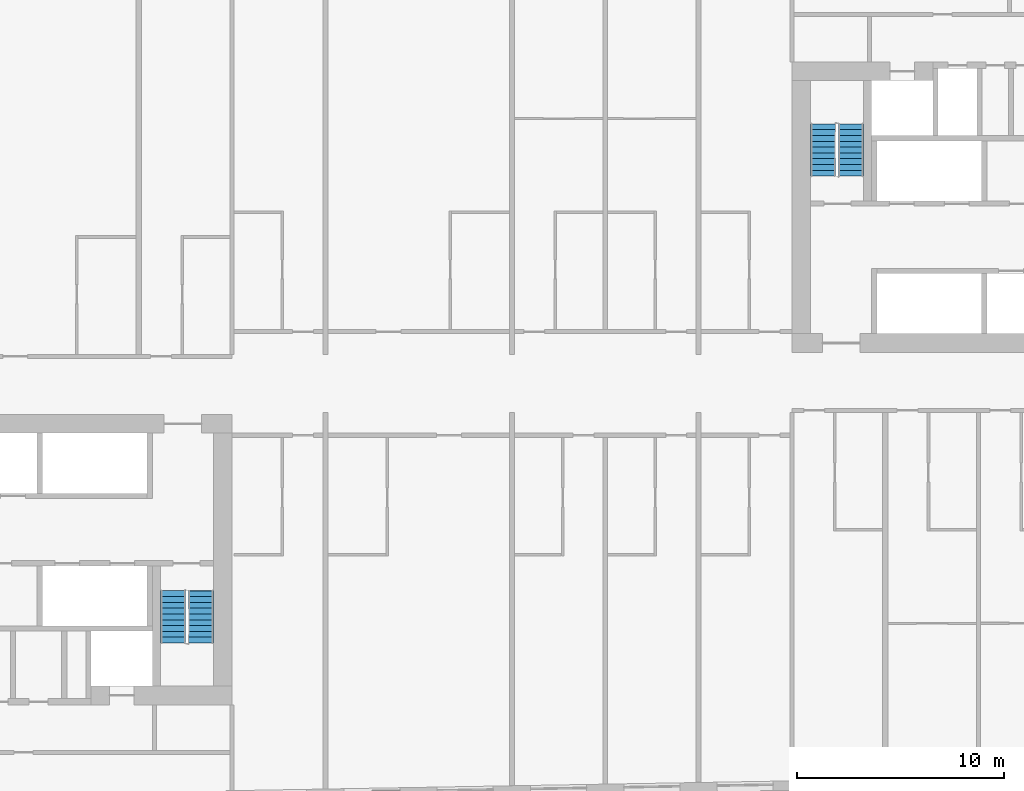
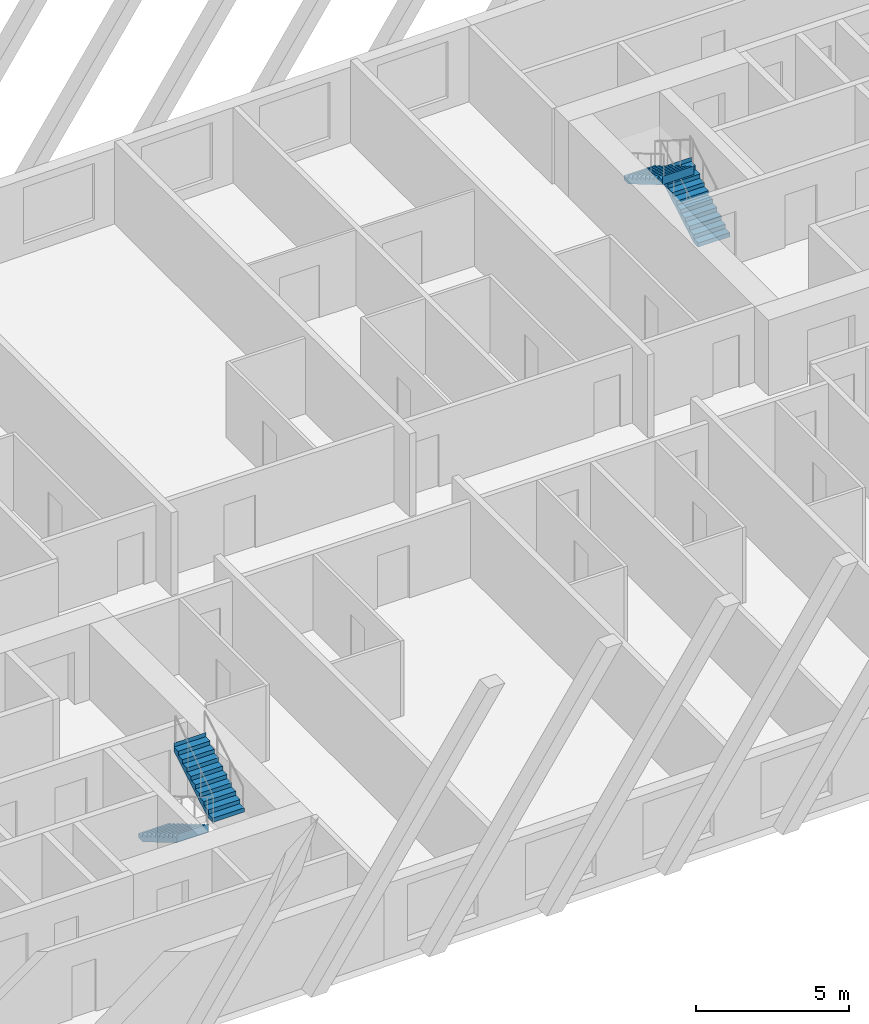
# One storey, part 9 of 12: 4 stair flights, 2 elements without a shape of their own.
"""IFC4 building model written with IfcOpenShell, lengths in metres."""

from ifc_helpers import new_model, si_unit, direction, frame, origin, place, context, subcontext, project, spatial, faceted_brep, material, type_object, element, aggregate, save


model = new_model("IFC4")

# Units and contexts
model_context = context("Model", 3, precision=1e-05, world=origin(), true_north=direction((0.0, 1.0)))
body_context = subcontext(model_context, "Body", "Model", "MODEL_VIEW")
ifc_project = project(units=[si_unit("LENGTHUNIT", "METRE"), si_unit("AREAUNIT", "SQUARE_METRE"), si_unit("VOLUMEUNIT", "CUBIC_METRE"), si_unit("PLANEANGLEUNIT", "RADIAN"), si_unit("MASSUNIT", "GRAM", prefix="KILO")], contexts=[model_context])

# Site, building, storey
site_placement = place(None, origin())
site = spatial("IfcSite", under=ifc_project, at=site_placement, CompositionType="ELEMENT")
building_placement = place(site_placement, origin())
building = spatial("IfcBuilding", under=site, at=building_placement, Name="Kajstack Hotel Tower", CompositionType="ELEMENT")
storey_placement = place(building_placement, frame((0.0, 0.0, 227.60009765625)))
storey = spatial("IfcBuildingStorey", under=building, at=storey_placement, Name="L55", CompositionType="ELEMENT", Elevation=227.60009765625)

# Stair, stair flights
ifc_material = material(Name="Concrete C40/50", Category="concrete")
stair_type = type_object("IfcStairType", Name="Exit stair 1200", PredefinedType="HALF_TURN_STAIR", material=ifc_material)
stair_1_placement = place(storey_placement, origin())
stair_1 = element("IfcStair", 1, at=stair_1_placement, inside=storey, type_object=stair_type, Name="L55 stair W2", PredefinedType="HALF_TURN_STAIR")
stair_flight_type = type_object("IfcStairFlightType", Name="Exit stair flight 1200", PredefinedType="STRAIGHT", material=ifc_material)
stair_flight_1_placement = place(storey_placement, frame((-16.35009765625, -10.0, 0.0), z_axis=(0.0, 0.0, 1.0), x_axis=(0.0, -1.0, 0.0)))
stair_flight_1 = element("IfcStairFlight", 2, at=stair_flight_1_placement, type_object=stair_flight_type, Name="W2 flight 1", NumberOfRisers=10, NumberOfTreads=9, PredefinedType="STRAIGHT", RiserHeight=0.165, TreadLength=0.28, context=body_context, shape_type="Brep", body=[
    faceted_brep([(0.295654296875, -0.60009765625, 0.0), (2.5205078125, -0.60009765625, 1.31103515625), (2.5205078125, -0.60009765625, 1.64990234375), (2.52001953125, -0.60009765625, 1.64990234375), (2.52001953125, -0.60009765625, 1.485107421875), (2.239990234375, -0.60009765625, 1.485107421875), (2.239990234375, -0.60009765625, 1.320068359375), (1.9599609375, -0.60009765625, 1.320068359375), (1.9599609375, -0.60009765625, 1.155029296875), (1.679931640625, -0.60009765625, 1.155029296875), (1.679931640625, -0.60009765625, 0.989990234375), (1.39990234375, -0.60009765625, 0.989990234375), (1.39990234375, -0.60009765625, 0.824951171875), (1.1201171875, -0.60009765625, 0.824951171875), (1.1201171875, -0.60009765625, 0.659912109375), (0.840087890625, -0.60009765625, 0.659912109375), (0.840087890625, -0.60009765625, 0.4951171875), (0.56005859375, -0.60009765625, 0.4951171875), (0.56005859375, -0.60009765625, 0.330078125), (0.280029296875, -0.60009765625, 0.330078125), (0.280029296875, -0.60009765625, 0.1650390625), (-0.00048828125, -0.60009765625, 0.1650390625), (-0.00048828125, -0.60009765625, 0.0), (-0.00048828125, 0.60009765625, 0.0), (-0.00048828125, 0.60009765625, 0.1650390625), (0.280029296875, 0.60009765625, 0.1650390625), (0.280029296875, 0.60009765625, 0.330078125), (0.56005859375, 0.60009765625, 0.330078125), (0.56005859375, 0.60009765625, 0.4951171875), (0.840087890625, 0.60009765625, 0.4951171875), (0.840087890625, 0.60009765625, 0.659912109375), (1.1201171875, 0.60009765625, 0.659912109375), (1.1201171875, 0.60009765625, 0.824951171875), (1.39990234375, 0.60009765625, 0.824951171875), (1.39990234375, 0.60009765625, 0.989990234375), (1.679931640625, 0.60009765625, 0.989990234375), (1.679931640625, 0.60009765625, 1.155029296875), (1.9599609375, 0.60009765625, 1.155029296875), (1.9599609375, 0.60009765625, 1.320068359375), (2.239990234375, 0.60009765625, 1.320068359375), (2.239990234375, 0.60009765625, 1.485107421875), (2.52001953125, 0.60009765625, 1.485107421875), (2.52001953125, 0.60009765625, 1.64990234375), (2.5205078125, 0.60009765625, 1.64990234375), (2.5205078125, 0.60009765625, 1.31103515625), (0.295654296875, 0.60009765625, 0.0), (-0.00048828125, -0.300048828125, 0.1650390625), (-0.00048828125, 0.0, 0.1650390625), (-0.00048828125, 0.300048828125, 0.1650390625), (-0.00048828125, 0.300048828125, 0.0), (-0.00048828125, 0.0, 0.0), (-0.00048828125, -0.300048828125, 0.0), (0.280029296875, -0.300048828125, 0.1650390625), (0.280029296875, 0.0, 0.1650390625), (0.280029296875, 0.300048828125, 0.1650390625), (0.280029296875, -0.300048828125, 0.330078125), (0.280029296875, 0.0, 0.330078125), (0.280029296875, 0.300048828125, 0.330078125), (0.56005859375, -0.300048828125, 0.330078125), (0.56005859375, 0.0, 0.330078125), (0.56005859375, 0.300048828125, 0.330078125), (0.56005859375, -0.300048828125, 0.4951171875), (0.56005859375, 0.0, 0.4951171875), (0.56005859375, 0.300048828125, 0.4951171875), (0.840087890625, -0.300048828125, 0.4951171875), (0.840087890625, 0.0, 0.4951171875), (0.840087890625, 0.300048828125, 0.4951171875), (0.840087890625, -0.300048828125, 0.659912109375), (0.840087890625, 0.0, 0.659912109375), (0.840087890625, 0.300048828125, 0.659912109375), (1.1201171875, -0.300048828125, 0.659912109375), (1.1201171875, 0.0, 0.659912109375), (1.1201171875, 0.300048828125, 0.659912109375), (1.1201171875, -0.300048828125, 0.824951171875), (1.1201171875, 0.0, 0.824951171875), (1.1201171875, 0.300048828125, 0.824951171875), (1.39990234375, -0.300048828125, 0.824951171875), (1.39990234375, 0.0, 0.824951171875), (1.39990234375, 0.300048828125, 0.824951171875), (1.39990234375, -0.300048828125, 0.989990234375), (1.39990234375, 0.0, 0.989990234375), (1.39990234375, 0.300048828125, 0.989990234375), (1.679931640625, -0.300048828125, 0.989990234375), (1.679931640625, 0.0, 0.989990234375), (1.679931640625, 0.300048828125, 0.989990234375), (1.679931640625, -0.300048828125, 1.155029296875), (1.679931640625, 0.0, 1.155029296875), (1.679931640625, 0.300048828125, 1.155029296875), (1.9599609375, -0.300048828125, 1.155029296875), (1.9599609375, 0.0, 1.155029296875), (1.9599609375, 0.300048828125, 1.155029296875), (1.9599609375, -0.300048828125, 1.320068359375), (1.9599609375, 0.0, 1.320068359375), (1.9599609375, 0.300048828125, 1.320068359375), (2.239990234375, -0.300048828125, 1.320068359375), (2.239990234375, 0.0, 1.320068359375), (2.239990234375, 0.300048828125, 1.320068359375), (2.239990234375, -0.300048828125, 1.485107421875), (2.239990234375, 0.0, 1.485107421875), (2.239990234375, 0.300048828125, 1.485107421875), (2.52001953125, -0.300048828125, 1.485107421875), (2.52001953125, 0.0, 1.485107421875), (2.52001953125, 0.300048828125, 1.485107421875), (2.52001953125, -0.300048828125, 1.64990234375), (2.52001953125, 0.0, 1.64990234375), (2.52001953125, 0.300048828125, 1.64990234375), (2.5205078125, -0.300048828125, 1.64990234375), (2.5205078125, 0.0, 1.64990234375), (2.5205078125, 0.300048828125, 1.64990234375), (2.5205078125, -0.300048828125, 1.31103515625), (2.5205078125, 0.0, 1.31103515625), (2.5205078125, 0.300048828125, 1.31103515625), (0.295654296875, -0.300048828125, 0.0), (0.295654296875, 0.0, 0.0), (0.295654296875, 0.300048828125, 0.0)], [[[0, 1, 2, 3, 4, 5, 6, 7, 8, 9, 10, 11, 12, 13, 14, 15, 16, 17, 18, 19, 20, 21, 22]], [[23, 24, 25, 26, 27, 28, 29, 30, 31, 32, 33, 34, 35, 36, 37, 38, 39, 40, 41, 42, 43, 44, 45]], [[21, 46, 47, 48, 24, 23, 49, 50, 51, 22]], [[20, 52, 53, 54, 25, 24, 48, 47, 46, 21]], [[19, 55, 56, 57, 26, 25, 54, 53, 52, 20]], [[18, 58, 59, 60, 27, 26, 57, 56, 55, 19]], [[17, 61, 62, 63, 28, 27, 60, 59, 58, 18]], [[16, 64, 65, 66, 29, 28, 63, 62, 61, 17]], [[15, 67, 68, 69, 30, 29, 66, 65, 64, 16]], [[14, 70, 71, 72, 31, 30, 69, 68, 67, 15]], [[13, 73, 74, 75, 32, 31, 72, 71, 70, 14]], [[12, 76, 77, 78, 33, 32, 75, 74, 73, 13]], [[11, 79, 80, 81, 34, 33, 78, 77, 76, 12]], [[10, 82, 83, 84, 35, 34, 81, 80, 79, 11]], [[9, 85, 86, 87, 36, 35, 84, 83, 82, 10]], [[8, 88, 89, 90, 37, 36, 87, 86, 85, 9]], [[7, 91, 92, 93, 38, 37, 90, 89, 88, 8]], [[6, 94, 95, 96, 39, 38, 93, 92, 91, 7]], [[5, 97, 98, 99, 40, 39, 96, 95, 94, 6]], [[4, 100, 101, 102, 41, 40, 99, 98, 97, 5]], [[3, 103, 104, 105, 42, 41, 102, 101, 100, 4]], [[2, 106, 107, 108, 43, 42, 105, 104, 103, 3]], [[1, 109, 110, 111, 44, 43, 108, 107, 106, 2]], [[0, 112, 113, 114, 45, 44, 111, 110, 109, 1]], [[22, 51, 50, 49, 23, 45, 114, 113, 112, 0]]]),
])
stair_flight_2_placement = place(storey_placement, frame((-15.0, -12.52001953125, 1.64990234375), z_axis=(0.0, 0.0, 1.0), x_axis=(0.0, 1.0, 0.0)))
stair_flight_2 = element("IfcStairFlight", 3, at=stair_flight_2_placement, type_object=stair_flight_type, Name="W2 flight 2", NumberOfRisers=10, NumberOfTreads=9, PredefinedType="STRAIGHT", RiserHeight=0.165, TreadLength=0.28, context=body_context, shape_type="Brep", body=[
    faceted_brep([(0.295654296875, -0.60009765625, 0.0), (2.5205078125, -0.60009765625, 1.31103515625), (2.5205078125, -0.60009765625, 1.64990234375), (2.52001953125, -0.60009765625, 1.64990234375), (2.52001953125, -0.60009765625, 1.485107421875), (2.239990234375, -0.60009765625, 1.485107421875), (2.239990234375, -0.60009765625, 1.320068359375), (1.9599609375, -0.60009765625, 1.320068359375), (1.9599609375, -0.60009765625, 1.155029296875), (1.679931640625, -0.60009765625, 1.155029296875), (1.679931640625, -0.60009765625, 0.989990234375), (1.39990234375, -0.60009765625, 0.989990234375), (1.39990234375, -0.60009765625, 0.824951171875), (1.1201171875, -0.60009765625, 0.824951171875), (1.1201171875, -0.60009765625, 0.659912109375), (0.840087890625, -0.60009765625, 0.659912109375), (0.840087890625, -0.60009765625, 0.4951171875), (0.56005859375, -0.60009765625, 0.4951171875), (0.56005859375, -0.60009765625, 0.330078125), (0.280029296875, -0.60009765625, 0.330078125), (0.280029296875, -0.60009765625, 0.1650390625), (-0.00048828125, -0.60009765625, 0.1650390625), (-0.00048828125, -0.60009765625, 0.0), (-0.00048828125, 0.60009765625, 0.0), (-0.00048828125, 0.60009765625, 0.1650390625), (0.280029296875, 0.60009765625, 0.1650390625), (0.280029296875, 0.60009765625, 0.330078125), (0.56005859375, 0.60009765625, 0.330078125), (0.56005859375, 0.60009765625, 0.4951171875), (0.840087890625, 0.60009765625, 0.4951171875), (0.840087890625, 0.60009765625, 0.659912109375), (1.1201171875, 0.60009765625, 0.659912109375), (1.1201171875, 0.60009765625, 0.824951171875), (1.39990234375, 0.60009765625, 0.824951171875), (1.39990234375, 0.60009765625, 0.989990234375), (1.679931640625, 0.60009765625, 0.989990234375), (1.679931640625, 0.60009765625, 1.155029296875), (1.9599609375, 0.60009765625, 1.155029296875), (1.9599609375, 0.60009765625, 1.320068359375), (2.239990234375, 0.60009765625, 1.320068359375), (2.239990234375, 0.60009765625, 1.485107421875), (2.52001953125, 0.60009765625, 1.485107421875), (2.52001953125, 0.60009765625, 1.64990234375), (2.5205078125, 0.60009765625, 1.64990234375), (2.5205078125, 0.60009765625, 1.31103515625), (0.295654296875, 0.60009765625, 0.0), (-0.00048828125, -0.300048828125, 0.1650390625), (-0.00048828125, 0.0, 0.1650390625), (-0.00048828125, 0.300048828125, 0.1650390625), (-0.00048828125, 0.300048828125, 0.0), (-0.00048828125, 0.0, 0.0), (-0.00048828125, -0.300048828125, 0.0), (0.280029296875, -0.300048828125, 0.1650390625), (0.280029296875, 0.0, 0.1650390625), (0.280029296875, 0.300048828125, 0.1650390625), (0.280029296875, -0.300048828125, 0.330078125), (0.280029296875, 0.0, 0.330078125), (0.280029296875, 0.300048828125, 0.330078125), (0.56005859375, -0.300048828125, 0.330078125), (0.56005859375, 0.0, 0.330078125), (0.56005859375, 0.300048828125, 0.330078125), (0.56005859375, -0.300048828125, 0.4951171875), (0.56005859375, 0.0, 0.4951171875), (0.56005859375, 0.300048828125, 0.4951171875), (0.840087890625, -0.300048828125, 0.4951171875), (0.840087890625, 0.0, 0.4951171875), (0.840087890625, 0.300048828125, 0.4951171875), (0.840087890625, -0.300048828125, 0.659912109375), (0.840087890625, 0.0, 0.659912109375), (0.840087890625, 0.300048828125, 0.659912109375), (1.1201171875, -0.300048828125, 0.659912109375), (1.1201171875, 0.0, 0.659912109375), (1.1201171875, 0.300048828125, 0.659912109375), (1.1201171875, -0.300048828125, 0.824951171875), (1.1201171875, 0.0, 0.824951171875), (1.1201171875, 0.300048828125, 0.824951171875), (1.39990234375, -0.300048828125, 0.824951171875), (1.39990234375, 0.0, 0.824951171875), (1.39990234375, 0.300048828125, 0.824951171875), (1.39990234375, -0.300048828125, 0.989990234375), (1.39990234375, 0.0, 0.989990234375), (1.39990234375, 0.300048828125, 0.989990234375), (1.679931640625, -0.300048828125, 0.989990234375), (1.679931640625, 0.0, 0.989990234375), (1.679931640625, 0.300048828125, 0.989990234375), (1.679931640625, -0.300048828125, 1.155029296875), (1.679931640625, 0.0, 1.155029296875), (1.679931640625, 0.300048828125, 1.155029296875), (1.9599609375, -0.300048828125, 1.155029296875), (1.9599609375, 0.0, 1.155029296875), (1.9599609375, 0.300048828125, 1.155029296875), (1.9599609375, -0.300048828125, 1.320068359375), (1.9599609375, 0.0, 1.320068359375), (1.9599609375, 0.300048828125, 1.320068359375), (2.239990234375, -0.300048828125, 1.320068359375), (2.239990234375, 0.0, 1.320068359375), (2.239990234375, 0.300048828125, 1.320068359375), (2.239990234375, -0.300048828125, 1.485107421875), (2.239990234375, 0.0, 1.485107421875), (2.239990234375, 0.300048828125, 1.485107421875), (2.52001953125, -0.300048828125, 1.485107421875), (2.52001953125, 0.0, 1.485107421875), (2.52001953125, 0.300048828125, 1.485107421875), (2.52001953125, -0.300048828125, 1.64990234375), (2.52001953125, 0.0, 1.64990234375), (2.52001953125, 0.300048828125, 1.64990234375), (2.5205078125, -0.300048828125, 1.64990234375), (2.5205078125, 0.0, 1.64990234375), (2.5205078125, 0.300048828125, 1.64990234375), (2.5205078125, -0.300048828125, 1.31103515625), (2.5205078125, 0.0, 1.31103515625), (2.5205078125, 0.300048828125, 1.31103515625), (0.295654296875, -0.300048828125, 0.0), (0.295654296875, 0.0, 0.0), (0.295654296875, 0.300048828125, 0.0)], [[[0, 1, 2, 3, 4, 5, 6, 7, 8, 9, 10, 11, 12, 13, 14, 15, 16, 17, 18, 19, 20, 21, 22]], [[23, 24, 25, 26, 27, 28, 29, 30, 31, 32, 33, 34, 35, 36, 37, 38, 39, 40, 41, 42, 43, 44, 45]], [[21, 46, 47, 48, 24, 23, 49, 50, 51, 22]], [[20, 52, 53, 54, 25, 24, 48, 47, 46, 21]], [[19, 55, 56, 57, 26, 25, 54, 53, 52, 20]], [[18, 58, 59, 60, 27, 26, 57, 56, 55, 19]], [[17, 61, 62, 63, 28, 27, 60, 59, 58, 18]], [[16, 64, 65, 66, 29, 28, 63, 62, 61, 17]], [[15, 67, 68, 69, 30, 29, 66, 65, 64, 16]], [[14, 70, 71, 72, 31, 30, 69, 68, 67, 15]], [[13, 73, 74, 75, 32, 31, 72, 71, 70, 14]], [[12, 76, 77, 78, 33, 32, 75, 74, 73, 13]], [[11, 79, 80, 81, 34, 33, 78, 77, 76, 12]], [[10, 82, 83, 84, 35, 34, 81, 80, 79, 11]], [[9, 85, 86, 87, 36, 35, 84, 83, 82, 10]], [[8, 88, 89, 90, 37, 36, 87, 86, 85, 9]], [[7, 91, 92, 93, 38, 37, 90, 89, 88, 8]], [[6, 94, 95, 96, 39, 38, 93, 92, 91, 7]], [[5, 97, 98, 99, 40, 39, 96, 95, 94, 6]], [[4, 100, 101, 102, 41, 40, 99, 98, 97, 5]], [[3, 103, 104, 105, 42, 41, 102, 101, 100, 4]], [[2, 106, 107, 108, 43, 42, 105, 104, 103, 3]], [[1, 109, 110, 111, 44, 43, 108, 107, 106, 2]], [[0, 112, 113, 114, 45, 44, 111, 110, 109, 1]], [[22, 51, 50, 49, 23, 45, 114, 113, 112, 0]]]),
])
aggregate(stair_1, [stair_flight_1, stair_flight_2])

stair_2_placement = place(storey_placement, origin())
stair_2 = element("IfcStair", 4, at=stair_2_placement, inside=storey, type_object=stair_type, Name="L55 stair E2", PredefinedType="HALF_TURN_STAIR")
stair_flight_3_placement = place(storey_placement, frame((16.35009765625, 10.0, 0.0), z_axis=(0.0, 0.0, 1.0), x_axis=(0.0, 1.0, 0.0)))
stair_flight_3 = element("IfcStairFlight", 5, at=stair_flight_3_placement, type_object=stair_flight_type, Name="E2 flight 1", NumberOfRisers=10, NumberOfTreads=9, PredefinedType="STRAIGHT", RiserHeight=0.165, TreadLength=0.28, context=body_context, shape_type="Brep", body=[
    faceted_brep([(0.295654296875, -0.60009765625, 0.0), (2.5205078125, -0.60009765625, 1.31103515625), (2.5205078125, -0.60009765625, 1.64990234375), (2.52001953125, -0.60009765625, 1.64990234375), (2.52001953125, -0.60009765625, 1.485107421875), (2.239990234375, -0.60009765625, 1.485107421875), (2.239990234375, -0.60009765625, 1.320068359375), (1.9599609375, -0.60009765625, 1.320068359375), (1.9599609375, -0.60009765625, 1.155029296875), (1.679931640625, -0.60009765625, 1.155029296875), (1.679931640625, -0.60009765625, 0.989990234375), (1.39990234375, -0.60009765625, 0.989990234375), (1.39990234375, -0.60009765625, 0.824951171875), (1.1201171875, -0.60009765625, 0.824951171875), (1.1201171875, -0.60009765625, 0.659912109375), (0.840087890625, -0.60009765625, 0.659912109375), (0.840087890625, -0.60009765625, 0.4951171875), (0.56005859375, -0.60009765625, 0.4951171875), (0.56005859375, -0.60009765625, 0.330078125), (0.280029296875, -0.60009765625, 0.330078125), (0.280029296875, -0.60009765625, 0.1650390625), (-0.00048828125, -0.60009765625, 0.1650390625), (-0.00048828125, -0.60009765625, 0.0), (-0.00048828125, 0.60009765625, 0.0), (-0.00048828125, 0.60009765625, 0.1650390625), (0.280029296875, 0.60009765625, 0.1650390625), (0.280029296875, 0.60009765625, 0.330078125), (0.56005859375, 0.60009765625, 0.330078125), (0.56005859375, 0.60009765625, 0.4951171875), (0.840087890625, 0.60009765625, 0.4951171875), (0.840087890625, 0.60009765625, 0.659912109375), (1.1201171875, 0.60009765625, 0.659912109375), (1.1201171875, 0.60009765625, 0.824951171875), (1.39990234375, 0.60009765625, 0.824951171875), (1.39990234375, 0.60009765625, 0.989990234375), (1.679931640625, 0.60009765625, 0.989990234375), (1.679931640625, 0.60009765625, 1.155029296875), (1.9599609375, 0.60009765625, 1.155029296875), (1.9599609375, 0.60009765625, 1.320068359375), (2.239990234375, 0.60009765625, 1.320068359375), (2.239990234375, 0.60009765625, 1.485107421875), (2.52001953125, 0.60009765625, 1.485107421875), (2.52001953125, 0.60009765625, 1.64990234375), (2.5205078125, 0.60009765625, 1.64990234375), (2.5205078125, 0.60009765625, 1.31103515625), (0.295654296875, 0.60009765625, 0.0), (-0.00048828125, -0.300048828125, 0.1650390625), (-0.00048828125, 0.0, 0.1650390625), (-0.00048828125, 0.300048828125, 0.1650390625), (-0.00048828125, 0.300048828125, 0.0), (-0.00048828125, 0.0, 0.0), (-0.00048828125, -0.300048828125, 0.0), (0.280029296875, -0.300048828125, 0.1650390625), (0.280029296875, 0.0, 0.1650390625), (0.280029296875, 0.300048828125, 0.1650390625), (0.280029296875, -0.300048828125, 0.330078125), (0.280029296875, 0.0, 0.330078125), (0.280029296875, 0.300048828125, 0.330078125), (0.56005859375, -0.300048828125, 0.330078125), (0.56005859375, 0.0, 0.330078125), (0.56005859375, 0.300048828125, 0.330078125), (0.56005859375, -0.300048828125, 0.4951171875), (0.56005859375, 0.0, 0.4951171875), (0.56005859375, 0.300048828125, 0.4951171875), (0.840087890625, -0.300048828125, 0.4951171875), (0.840087890625, 0.0, 0.4951171875), (0.840087890625, 0.300048828125, 0.4951171875), (0.840087890625, -0.300048828125, 0.659912109375), (0.840087890625, 0.0, 0.659912109375), (0.840087890625, 0.300048828125, 0.659912109375), (1.1201171875, -0.300048828125, 0.659912109375), (1.1201171875, 0.0, 0.659912109375), (1.1201171875, 0.300048828125, 0.659912109375), (1.1201171875, -0.300048828125, 0.824951171875), (1.1201171875, 0.0, 0.824951171875), (1.1201171875, 0.300048828125, 0.824951171875), (1.39990234375, -0.300048828125, 0.824951171875), (1.39990234375, 0.0, 0.824951171875), (1.39990234375, 0.300048828125, 0.824951171875), (1.39990234375, -0.300048828125, 0.989990234375), (1.39990234375, 0.0, 0.989990234375), (1.39990234375, 0.300048828125, 0.989990234375), (1.679931640625, -0.300048828125, 0.989990234375), (1.679931640625, 0.0, 0.989990234375), (1.679931640625, 0.300048828125, 0.989990234375), (1.679931640625, -0.300048828125, 1.155029296875), (1.679931640625, 0.0, 1.155029296875), (1.679931640625, 0.300048828125, 1.155029296875), (1.9599609375, -0.300048828125, 1.155029296875), (1.9599609375, 0.0, 1.155029296875), (1.9599609375, 0.300048828125, 1.155029296875), (1.9599609375, -0.300048828125, 1.320068359375), (1.9599609375, 0.0, 1.320068359375), (1.9599609375, 0.300048828125, 1.320068359375), (2.239990234375, -0.300048828125, 1.320068359375), (2.239990234375, 0.0, 1.320068359375), (2.239990234375, 0.300048828125, 1.320068359375), (2.239990234375, -0.300048828125, 1.485107421875), (2.239990234375, 0.0, 1.485107421875), (2.239990234375, 0.300048828125, 1.485107421875), (2.52001953125, -0.300048828125, 1.485107421875), (2.52001953125, 0.0, 1.485107421875), (2.52001953125, 0.300048828125, 1.485107421875), (2.52001953125, -0.300048828125, 1.64990234375), (2.52001953125, 0.0, 1.64990234375), (2.52001953125, 0.300048828125, 1.64990234375), (2.5205078125, -0.300048828125, 1.64990234375), (2.5205078125, 0.0, 1.64990234375), (2.5205078125, 0.300048828125, 1.64990234375), (2.5205078125, -0.300048828125, 1.31103515625), (2.5205078125, 0.0, 1.31103515625), (2.5205078125, 0.300048828125, 1.31103515625), (0.295654296875, -0.300048828125, 0.0), (0.295654296875, 0.0, 0.0), (0.295654296875, 0.300048828125, 0.0)], [[[0, 1, 2, 3, 4, 5, 6, 7, 8, 9, 10, 11, 12, 13, 14, 15, 16, 17, 18, 19, 20, 21, 22]], [[23, 24, 25, 26, 27, 28, 29, 30, 31, 32, 33, 34, 35, 36, 37, 38, 39, 40, 41, 42, 43, 44, 45]], [[21, 46, 47, 48, 24, 23, 49, 50, 51, 22]], [[20, 52, 53, 54, 25, 24, 48, 47, 46, 21]], [[19, 55, 56, 57, 26, 25, 54, 53, 52, 20]], [[18, 58, 59, 60, 27, 26, 57, 56, 55, 19]], [[17, 61, 62, 63, 28, 27, 60, 59, 58, 18]], [[16, 64, 65, 66, 29, 28, 63, 62, 61, 17]], [[15, 67, 68, 69, 30, 29, 66, 65, 64, 16]], [[14, 70, 71, 72, 31, 30, 69, 68, 67, 15]], [[13, 73, 74, 75, 32, 31, 72, 71, 70, 14]], [[12, 76, 77, 78, 33, 32, 75, 74, 73, 13]], [[11, 79, 80, 81, 34, 33, 78, 77, 76, 12]], [[10, 82, 83, 84, 35, 34, 81, 80, 79, 11]], [[9, 85, 86, 87, 36, 35, 84, 83, 82, 10]], [[8, 88, 89, 90, 37, 36, 87, 86, 85, 9]], [[7, 91, 92, 93, 38, 37, 90, 89, 88, 8]], [[6, 94, 95, 96, 39, 38, 93, 92, 91, 7]], [[5, 97, 98, 99, 40, 39, 96, 95, 94, 6]], [[4, 100, 101, 102, 41, 40, 99, 98, 97, 5]], [[3, 103, 104, 105, 42, 41, 102, 101, 100, 4]], [[2, 106, 107, 108, 43, 42, 105, 104, 103, 3]], [[1, 109, 110, 111, 44, 43, 108, 107, 106, 2]], [[0, 112, 113, 114, 45, 44, 111, 110, 109, 1]], [[22, 51, 50, 49, 23, 45, 114, 113, 112, 0]]]),
])
stair_flight_4_placement = place(storey_placement, frame((15.0, 12.52001953125, 1.64990234375), z_axis=(0.0, 0.0, 1.0), x_axis=(0.0, -1.0, 0.0)))
stair_flight_4 = element("IfcStairFlight", 6, at=stair_flight_4_placement, type_object=stair_flight_type, Name="E2 flight 2", NumberOfRisers=10, NumberOfTreads=9, PredefinedType="STRAIGHT", RiserHeight=0.165, TreadLength=0.28, context=body_context, shape_type="Brep", body=[
    faceted_brep([(0.295654296875, -0.60009765625, 0.0), (2.5205078125, -0.60009765625, 1.31103515625), (2.5205078125, -0.60009765625, 1.64990234375), (2.52001953125, -0.60009765625, 1.64990234375), (2.52001953125, -0.60009765625, 1.485107421875), (2.239990234375, -0.60009765625, 1.485107421875), (2.239990234375, -0.60009765625, 1.320068359375), (1.9599609375, -0.60009765625, 1.320068359375), (1.9599609375, -0.60009765625, 1.155029296875), (1.679931640625, -0.60009765625, 1.155029296875), (1.679931640625, -0.60009765625, 0.989990234375), (1.39990234375, -0.60009765625, 0.989990234375), (1.39990234375, -0.60009765625, 0.824951171875), (1.1201171875, -0.60009765625, 0.824951171875), (1.1201171875, -0.60009765625, 0.659912109375), (0.840087890625, -0.60009765625, 0.659912109375), (0.840087890625, -0.60009765625, 0.4951171875), (0.56005859375, -0.60009765625, 0.4951171875), (0.56005859375, -0.60009765625, 0.330078125), (0.280029296875, -0.60009765625, 0.330078125), (0.280029296875, -0.60009765625, 0.1650390625), (-0.00048828125, -0.60009765625, 0.1650390625), (-0.00048828125, -0.60009765625, 0.0), (-0.00048828125, 0.60009765625, 0.0), (-0.00048828125, 0.60009765625, 0.1650390625), (0.280029296875, 0.60009765625, 0.1650390625), (0.280029296875, 0.60009765625, 0.330078125), (0.56005859375, 0.60009765625, 0.330078125), (0.56005859375, 0.60009765625, 0.4951171875), (0.840087890625, 0.60009765625, 0.4951171875), (0.840087890625, 0.60009765625, 0.659912109375), (1.1201171875, 0.60009765625, 0.659912109375), (1.1201171875, 0.60009765625, 0.824951171875), (1.39990234375, 0.60009765625, 0.824951171875), (1.39990234375, 0.60009765625, 0.989990234375), (1.679931640625, 0.60009765625, 0.989990234375), (1.679931640625, 0.60009765625, 1.155029296875), (1.9599609375, 0.60009765625, 1.155029296875), (1.9599609375, 0.60009765625, 1.320068359375), (2.239990234375, 0.60009765625, 1.320068359375), (2.239990234375, 0.60009765625, 1.485107421875), (2.52001953125, 0.60009765625, 1.485107421875), (2.52001953125, 0.60009765625, 1.64990234375), (2.5205078125, 0.60009765625, 1.64990234375), (2.5205078125, 0.60009765625, 1.31103515625), (0.295654296875, 0.60009765625, 0.0), (-0.00048828125, -0.300048828125, 0.1650390625), (-0.00048828125, 0.0, 0.1650390625), (-0.00048828125, 0.300048828125, 0.1650390625), (-0.00048828125, 0.300048828125, 0.0), (-0.00048828125, 0.0, 0.0), (-0.00048828125, -0.300048828125, 0.0), (0.280029296875, -0.300048828125, 0.1650390625), (0.280029296875, 0.0, 0.1650390625), (0.280029296875, 0.300048828125, 0.1650390625), (0.280029296875, -0.300048828125, 0.330078125), (0.280029296875, 0.0, 0.330078125), (0.280029296875, 0.300048828125, 0.330078125), (0.56005859375, -0.300048828125, 0.330078125), (0.56005859375, 0.0, 0.330078125), (0.56005859375, 0.300048828125, 0.330078125), (0.56005859375, -0.300048828125, 0.4951171875), (0.56005859375, 0.0, 0.4951171875), (0.56005859375, 0.300048828125, 0.4951171875), (0.840087890625, -0.300048828125, 0.4951171875), (0.840087890625, 0.0, 0.4951171875), (0.840087890625, 0.300048828125, 0.4951171875), (0.840087890625, -0.300048828125, 0.659912109375), (0.840087890625, 0.0, 0.659912109375), (0.840087890625, 0.300048828125, 0.659912109375), (1.1201171875, -0.300048828125, 0.659912109375), (1.1201171875, 0.0, 0.659912109375), (1.1201171875, 0.300048828125, 0.659912109375), (1.1201171875, -0.300048828125, 0.824951171875), (1.1201171875, 0.0, 0.824951171875), (1.1201171875, 0.300048828125, 0.824951171875), (1.39990234375, -0.300048828125, 0.824951171875), (1.39990234375, 0.0, 0.824951171875), (1.39990234375, 0.300048828125, 0.824951171875), (1.39990234375, -0.300048828125, 0.989990234375), (1.39990234375, 0.0, 0.989990234375), (1.39990234375, 0.300048828125, 0.989990234375), (1.679931640625, -0.300048828125, 0.989990234375), (1.679931640625, 0.0, 0.989990234375), (1.679931640625, 0.300048828125, 0.989990234375), (1.679931640625, -0.300048828125, 1.155029296875), (1.679931640625, 0.0, 1.155029296875), (1.679931640625, 0.300048828125, 1.155029296875), (1.9599609375, -0.300048828125, 1.155029296875), (1.9599609375, 0.0, 1.155029296875), (1.9599609375, 0.300048828125, 1.155029296875), (1.9599609375, -0.300048828125, 1.320068359375), (1.9599609375, 0.0, 1.320068359375), (1.9599609375, 0.300048828125, 1.320068359375), (2.239990234375, -0.300048828125, 1.320068359375), (2.239990234375, 0.0, 1.320068359375), (2.239990234375, 0.300048828125, 1.320068359375), (2.239990234375, -0.300048828125, 1.485107421875), (2.239990234375, 0.0, 1.485107421875), (2.239990234375, 0.300048828125, 1.485107421875), (2.52001953125, -0.300048828125, 1.485107421875), (2.52001953125, 0.0, 1.485107421875), (2.52001953125, 0.300048828125, 1.485107421875), (2.52001953125, -0.300048828125, 1.64990234375), (2.52001953125, 0.0, 1.64990234375), (2.52001953125, 0.300048828125, 1.64990234375), (2.5205078125, -0.300048828125, 1.64990234375), (2.5205078125, 0.0, 1.64990234375), (2.5205078125, 0.300048828125, 1.64990234375), (2.5205078125, -0.300048828125, 1.31103515625), (2.5205078125, 0.0, 1.31103515625), (2.5205078125, 0.300048828125, 1.31103515625), (0.295654296875, -0.300048828125, 0.0), (0.295654296875, 0.0, 0.0), (0.295654296875, 0.300048828125, 0.0)], [[[0, 1, 2, 3, 4, 5, 6, 7, 8, 9, 10, 11, 12, 13, 14, 15, 16, 17, 18, 19, 20, 21, 22]], [[23, 24, 25, 26, 27, 28, 29, 30, 31, 32, 33, 34, 35, 36, 37, 38, 39, 40, 41, 42, 43, 44, 45]], [[21, 46, 47, 48, 24, 23, 49, 50, 51, 22]], [[20, 52, 53, 54, 25, 24, 48, 47, 46, 21]], [[19, 55, 56, 57, 26, 25, 54, 53, 52, 20]], [[18, 58, 59, 60, 27, 26, 57, 56, 55, 19]], [[17, 61, 62, 63, 28, 27, 60, 59, 58, 18]], [[16, 64, 65, 66, 29, 28, 63, 62, 61, 17]], [[15, 67, 68, 69, 30, 29, 66, 65, 64, 16]], [[14, 70, 71, 72, 31, 30, 69, 68, 67, 15]], [[13, 73, 74, 75, 32, 31, 72, 71, 70, 14]], [[12, 76, 77, 78, 33, 32, 75, 74, 73, 13]], [[11, 79, 80, 81, 34, 33, 78, 77, 76, 12]], [[10, 82, 83, 84, 35, 34, 81, 80, 79, 11]], [[9, 85, 86, 87, 36, 35, 84, 83, 82, 10]], [[8, 88, 89, 90, 37, 36, 87, 86, 85, 9]], [[7, 91, 92, 93, 38, 37, 90, 89, 88, 8]], [[6, 94, 95, 96, 39, 38, 93, 92, 91, 7]], [[5, 97, 98, 99, 40, 39, 96, 95, 94, 6]], [[4, 100, 101, 102, 41, 40, 99, 98, 97, 5]], [[3, 103, 104, 105, 42, 41, 102, 101, 100, 4]], [[2, 106, 107, 108, 43, 42, 105, 104, 103, 3]], [[1, 109, 110, 111, 44, 43, 108, 107, 106, 2]], [[0, 112, 113, 114, 45, 44, 111, 110, 109, 1]], [[22, 51, 50, 49, 23, 45, 114, 113, 112, 0]]]),
])
aggregate(stair_2, [stair_flight_3, stair_flight_4])

save(model, "model.ifc")
